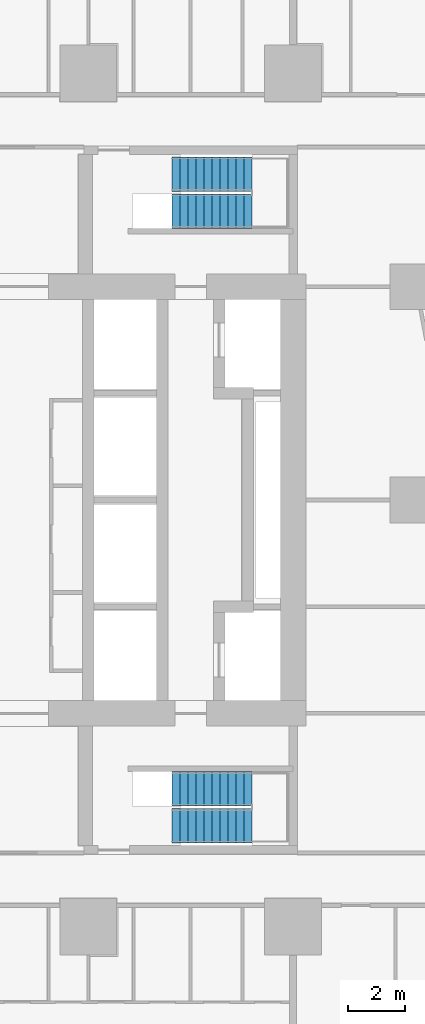
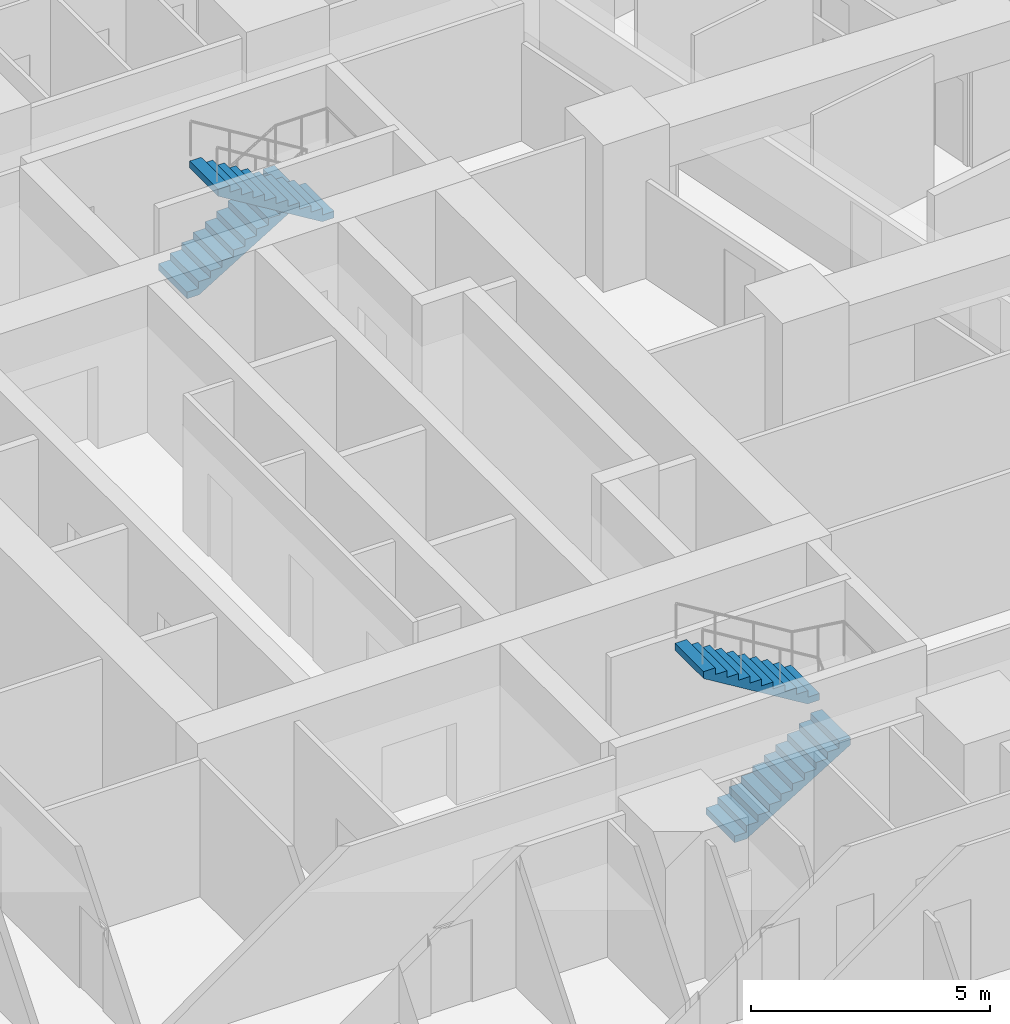
# One storey, part 12 of 15: 4 stair flights, 2 elements without a shape of their own.
"""IFC4 building model written with IfcOpenShell, lengths in metres."""

from ifc_helpers import new_model, si_unit, direction, frame, origin, place, context, subcontext, project, spatial, triangles, material, type_object, element, aggregate, save


model = new_model("IFC4")

# Units and contexts
model_context = context("Model", 3, precision=1e-05, world=origin(), true_north=direction((0.0, 1.0)))
body_context = subcontext(model_context, "Body", "Model", "MODEL_VIEW")
ifc_project = project(units=[si_unit("LENGTHUNIT", "METRE"), si_unit("AREAUNIT", "SQUARE_METRE"), si_unit("VOLUMEUNIT", "CUBIC_METRE"), si_unit("PLANEANGLEUNIT", "RADIAN"), si_unit("MASSUNIT", "GRAM", prefix="KILO")], contexts=[model_context])

# Site, building, storey
site_placement = place(None, origin())
site = spatial("IfcSite", under=ifc_project, at=site_placement, CompositionType="ELEMENT")
building_placement = place(site_placement, origin())
building = spatial("IfcBuilding", under=site, at=building_placement, Name="Sheger Commons Tower", CompositionType="ELEMENT")
storey_placement = place(building_placement, frame((0.0, 0.0, 77.89990234375)))
storey = spatial("IfcBuildingStorey", under=building, at=storey_placement, Name="L19", CompositionType="ELEMENT", Elevation=77.89990234375)

# Stair, stair flights
ifc_material_1 = material(Name="Concrete C35/45", Category="concrete")
stair_type = type_object("IfcStairType", Name="HALF-TURN STAIR 1200 RISE 3750", PredefinedType="HALF_TURN_STAIR", material=ifc_material_1)
stair_1_placement = place(storey_placement, origin())
stair_1 = element("IfcStair", 1, at=stair_1_placement, inside=storey, type_object=stair_type, Name="Stair S1 L19", PredefinedType="HALF_TURN_STAIR")
ifc_material_2 = material(Name="Concrete C35/45", Category="concrete")
stair_flight_type = type_object("IfcStairFlightType", Name="STAIR FLIGHT 1200 11 RISERS OF 170", PredefinedType="STRAIGHT", material=ifc_material_2)
stair_flight_1_placement = place(storey_placement, frame((24.550048828125, 11.050048828125, 0.0), z_axis=(0.0, 0.0, 1.0), x_axis=(1.0, 0.0, 0.0)))
stair_flight_1 = element("IfcStairFlight", 2, at=stair_flight_1_placement, type_object=stair_flight_type, Name="S1 flight 1", NumberOfRisers=11, NumberOfTreads=10, PredefinedType="STRAIGHT", RiserHeight=0.170454545, TreadLength=0.28, context=body_context, shape_type="Tessellation", body=[
    triangles([(0.0, 0.5999755859375, 0.0), (0.0, 0.5999755859375, 0.17041015625), (0.280029296875, 0.5999755859375, 0.17041015625), (0.280029296875, 0.5999755859375, 0.3408203125), (0.56005859375, 0.5999755859375, 0.3408203125), (0.56005859375, 0.5999755859375, 0.511474609375), (0.840087890625, 0.5999755859375, 0.511474609375), (0.840087890625, 0.5999755859375, 0.681884765625), (1.1201171875, 0.5999755859375, 0.681884765625), (1.1201171875, 0.5999755859375, 0.852294921875), (1.39990234375, 0.5999755859375, 0.852294921875), (1.39990234375, 0.5999755859375, 1.022705078125), (1.679931640625, 0.5999755859375, 1.022705078125), (1.679931640625, 0.5999755859375, 1.193115234375), (1.9599609375, 0.5999755859375, 1.193115234375), (1.9599609375, 0.5999755859375, 1.363525390625), (2.239990234375, 0.5999755859375, 1.363525390625), (2.239990234375, 0.5999755859375, 1.5341796875), (2.52001953125, 0.5999755859375, 1.5341796875), (2.52001953125, 0.5999755859375, 1.70458984375), (2.800048828125, 0.5999755859375, 1.70458984375), (2.800048828125, 0.5999755859375, 1.529052734375), (0.288330078125, 0.5999755859375, 0.0), (0.0, -0.5999755859375, 0.0), (0.0, -0.5999755859375, 0.17041015625), (0.280029296875, -0.5999755859375, 0.17041015625), (0.280029296875, -0.5999755859375, 0.3408203125), (0.56005859375, -0.5999755859375, 0.3408203125), (0.56005859375, -0.5999755859375, 0.511474609375), (0.840087890625, -0.5999755859375, 0.511474609375), (0.840087890625, -0.5999755859375, 0.681884765625), (1.1201171875, -0.5999755859375, 0.681884765625), (1.1201171875, -0.5999755859375, 0.852294921875), (1.39990234375, -0.5999755859375, 0.852294921875), (1.39990234375, -0.5999755859375, 1.022705078125), (1.679931640625, -0.5999755859375, 1.022705078125), (1.679931640625, -0.5999755859375, 1.193115234375), (1.9599609375, -0.5999755859375, 1.193115234375), (1.9599609375, -0.5999755859375, 1.363525390625), (2.239990234375, -0.5999755859375, 1.363525390625), (2.239990234375, -0.5999755859375, 1.5341796875), (2.52001953125, -0.5999755859375, 1.5341796875), (2.52001953125, -0.5999755859375, 1.70458984375), (2.800048828125, -0.5999755859375, 1.70458984375), (2.800048828125, -0.5999755859375, 1.529052734375), (0.288330078125, -0.5999755859375, 0.0), (0.0, 0.0, 0.085205078125), (0.1400146484375, 0.0, 0.17041015625), (0.280029296875, 0.0, 0.255615234375), (0.4200439453125, 0.0, 0.3408203125), (0.56005859375, 0.0, 0.4261474609375), (0.7000732421875, 0.0, 0.511474609375), (0.840087890625, 0.0, 0.5966796875), (0.9801025390625, 0.0, 0.681884765625), (1.1201171875, 0.0, 0.76708984375), (1.260009765625, 0.0, 0.852294921875), (1.39990234375, 0.0, 0.9375), (1.5399169921875, 0.0, 1.022705078125), (1.679931640625, 0.0, 1.10791015625), (1.8199462890625, 0.0, 1.193115234375), (1.9599609375, 0.0, 1.2783203125), (2.0999755859375, 0.0, 1.363525390625), (2.239990234375, 0.0, 1.4488525390625), (2.3800048828125, 0.0, 1.5341796875), (2.52001953125, 0.0, 1.619384765625), (2.6600341796875, 0.0, 1.70458984375), (2.800048828125, 0.0, 1.6168212890625), (1.544189453125, 0.0, 0.7645263671875), (0.1441650390625, 0.0, 0.0)], [[1, 22, 23], [24, 46, 45], [22, 20, 21], [45, 44, 43], [22, 19, 20], [45, 43, 42], [22, 18, 19], [45, 42, 41], [22, 17, 18], [45, 41, 40], [17, 15, 16], [40, 39, 38], [22, 15, 17], [45, 40, 38], [15, 13, 14], [38, 37, 36], [22, 13, 15], [45, 38, 36], [13, 11, 12], [36, 35, 34], [22, 11, 13], [45, 36, 34], [11, 9, 10], [34, 33, 32], [22, 9, 11], [45, 34, 32], [9, 7, 8], [32, 31, 30], [22, 7, 9], [45, 32, 30], [7, 5, 6], [30, 29, 28], [22, 5, 7], [45, 30, 28], [5, 3, 4], [28, 27, 26], [22, 3, 5], [45, 28, 26], [1, 3, 22], [24, 45, 26], [3, 1, 2], [26, 25, 24], [1, 47, 2], [2, 47, 25], [25, 47, 24], [24, 47, 1], [2, 48, 3], [3, 48, 26], [26, 48, 25], [25, 48, 2], [3, 49, 4], [4, 49, 27], [27, 49, 26], [26, 49, 3], [4, 50, 5], [5, 50, 28], [28, 50, 27], [27, 50, 4], [5, 51, 6], [6, 51, 29], [29, 51, 28], [28, 51, 5], [6, 52, 7], [7, 52, 30], [30, 52, 29], [29, 52, 6], [7, 53, 8], [8, 53, 31], [31, 53, 30], [30, 53, 7], [8, 54, 9], [9, 54, 32], [32, 54, 31], [31, 54, 8], [9, 55, 10], [10, 55, 33], [33, 55, 32], [32, 55, 9], [10, 56, 11], [11, 56, 34], [34, 56, 33], [33, 56, 10], [11, 57, 12], [12, 57, 35], [35, 57, 34], [34, 57, 11], [12, 58, 13], [13, 58, 36], [36, 58, 35], [35, 58, 12], [13, 59, 14], [14, 59, 37], [37, 59, 36], [36, 59, 13], [14, 60, 15], [15, 60, 38], [38, 60, 37], [37, 60, 14], [15, 61, 16], [16, 61, 39], [39, 61, 38], [38, 61, 15], [16, 62, 17], [17, 62, 40], [40, 62, 39], [39, 62, 16], [17, 63, 18], [18, 63, 41], [41, 63, 40], [40, 63, 17], [18, 64, 19], [19, 64, 42], [42, 64, 41], [41, 64, 18], [19, 65, 20], [20, 65, 43], [43, 65, 42], [42, 65, 19], [20, 66, 21], [21, 66, 44], [44, 66, 43], [43, 66, 20], [21, 67, 22], [22, 67, 45], [45, 67, 44], [44, 67, 21], [22, 68, 23], [23, 68, 46], [46, 68, 45], [45, 68, 22], [23, 69, 1], [1, 69, 24], [24, 69, 46], [46, 69, 23]], closed=True),
])
stair_flight_2_placement = place(storey_placement, frame((27.35009765625, 12.35009765625, 1.875), z_axis=(0.0, 0.0, 1.0), x_axis=(-1.0, 0.0, 0.0)))
stair_flight_2 = element("IfcStairFlight", 3, at=stair_flight_2_placement, type_object=stair_flight_type, Name="S1 flight 2", NumberOfRisers=11, NumberOfTreads=10, PredefinedType="STRAIGHT", RiserHeight=0.170454545, TreadLength=0.28, context=body_context, shape_type="Tessellation", body=[
    triangles([(0.0, 0.5999755859375, 0.0), (0.0, 0.5999755859375, 0.17041015625), (0.280029296875, 0.5999755859375, 0.17041015625), (0.280029296875, 0.5999755859375, 0.3408203125), (0.56005859375, 0.5999755859375, 0.3408203125), (0.56005859375, 0.5999755859375, 0.511474609375), (0.840087890625, 0.5999755859375, 0.511474609375), (0.840087890625, 0.5999755859375, 0.681884765625), (1.1201171875, 0.5999755859375, 0.681884765625), (1.1201171875, 0.5999755859375, 0.852294921875), (1.39990234375, 0.5999755859375, 0.852294921875), (1.39990234375, 0.5999755859375, 1.022705078125), (1.679931640625, 0.5999755859375, 1.022705078125), (1.679931640625, 0.5999755859375, 1.193115234375), (1.9599609375, 0.5999755859375, 1.193115234375), (1.9599609375, 0.5999755859375, 1.363525390625), (2.239990234375, 0.5999755859375, 1.363525390625), (2.239990234375, 0.5999755859375, 1.5341796875), (2.52001953125, 0.5999755859375, 1.5341796875), (2.52001953125, 0.5999755859375, 1.70458984375), (2.800048828125, 0.5999755859375, 1.70458984375), (2.800048828125, 0.5999755859375, 1.529052734375), (0.288330078125, 0.5999755859375, 0.0), (0.0, -0.5999755859375, 0.0), (0.0, -0.5999755859375, 0.17041015625), (0.280029296875, -0.5999755859375, 0.17041015625), (0.280029296875, -0.5999755859375, 0.3408203125), (0.56005859375, -0.5999755859375, 0.3408203125), (0.56005859375, -0.5999755859375, 0.511474609375), (0.840087890625, -0.5999755859375, 0.511474609375), (0.840087890625, -0.5999755859375, 0.681884765625), (1.1201171875, -0.5999755859375, 0.681884765625), (1.1201171875, -0.5999755859375, 0.852294921875), (1.39990234375, -0.5999755859375, 0.852294921875), (1.39990234375, -0.5999755859375, 1.022705078125), (1.679931640625, -0.5999755859375, 1.022705078125), (1.679931640625, -0.5999755859375, 1.193115234375), (1.9599609375, -0.5999755859375, 1.193115234375), (1.9599609375, -0.5999755859375, 1.363525390625), (2.239990234375, -0.5999755859375, 1.363525390625), (2.239990234375, -0.5999755859375, 1.5341796875), (2.52001953125, -0.5999755859375, 1.5341796875), (2.52001953125, -0.5999755859375, 1.70458984375), (2.800048828125, -0.5999755859375, 1.70458984375), (2.800048828125, -0.5999755859375, 1.529052734375), (0.288330078125, -0.5999755859375, 0.0), (0.0, 0.0, 0.085205078125), (0.1400146484375, 0.0, 0.17041015625), (0.280029296875, 0.0, 0.255615234375), (0.4200439453125, 0.0, 0.3408203125), (0.56005859375, 0.0, 0.4261474609375), (0.7000732421875, 0.0, 0.511474609375), (0.840087890625, 0.0, 0.5966796875), (0.9801025390625, 0.0, 0.681884765625), (1.1201171875, 0.0, 0.76708984375), (1.260009765625, 0.0, 0.852294921875), (1.39990234375, 0.0, 0.9375), (1.5399169921875, 0.0, 1.022705078125), (1.679931640625, 0.0, 1.10791015625), (1.8199462890625, 0.0, 1.193115234375), (1.9599609375, 0.0, 1.2783203125), (2.0999755859375, 0.0, 1.363525390625), (2.239990234375, 0.0, 1.4488525390625), (2.3800048828125, 0.0, 1.5341796875), (2.52001953125, 0.0, 1.619384765625), (2.6600341796875, 0.0, 1.70458984375), (2.800048828125, 0.0, 1.6168212890625), (1.544189453125, 0.0, 0.7645263671875), (0.1441650390625, 0.0, 0.0)], [[1, 22, 23], [24, 46, 45], [22, 20, 21], [45, 44, 43], [22, 19, 20], [45, 43, 42], [22, 18, 19], [45, 42, 41], [22, 17, 18], [45, 41, 40], [17, 15, 16], [40, 39, 38], [22, 15, 17], [45, 40, 38], [15, 13, 14], [38, 37, 36], [22, 13, 15], [45, 38, 36], [13, 11, 12], [36, 35, 34], [22, 11, 13], [45, 36, 34], [11, 9, 10], [34, 33, 32], [22, 9, 11], [45, 34, 32], [9, 7, 8], [32, 31, 30], [22, 7, 9], [45, 32, 30], [7, 5, 6], [30, 29, 28], [22, 5, 7], [45, 30, 28], [5, 3, 4], [28, 27, 26], [22, 3, 5], [45, 28, 26], [1, 3, 22], [24, 45, 26], [3, 1, 2], [26, 25, 24], [1, 47, 2], [2, 47, 25], [25, 47, 24], [24, 47, 1], [2, 48, 3], [3, 48, 26], [26, 48, 25], [25, 48, 2], [3, 49, 4], [4, 49, 27], [27, 49, 26], [26, 49, 3], [4, 50, 5], [5, 50, 28], [28, 50, 27], [27, 50, 4], [5, 51, 6], [6, 51, 29], [29, 51, 28], [28, 51, 5], [6, 52, 7], [7, 52, 30], [30, 52, 29], [29, 52, 6], [7, 53, 8], [8, 53, 31], [31, 53, 30], [30, 53, 7], [8, 54, 9], [9, 54, 32], [32, 54, 31], [31, 54, 8], [9, 55, 10], [10, 55, 33], [33, 55, 32], [32, 55, 9], [10, 56, 11], [11, 56, 34], [34, 56, 33], [33, 56, 10], [11, 57, 12], [12, 57, 35], [35, 57, 34], [34, 57, 11], [12, 58, 13], [13, 58, 36], [36, 58, 35], [35, 58, 12], [13, 59, 14], [14, 59, 37], [37, 59, 36], [36, 59, 13], [14, 60, 15], [15, 60, 38], [38, 60, 37], [37, 60, 14], [15, 61, 16], [16, 61, 39], [39, 61, 38], [38, 61, 15], [16, 62, 17], [17, 62, 40], [40, 62, 39], [39, 62, 16], [17, 63, 18], [18, 63, 41], [41, 63, 40], [40, 63, 17], [18, 64, 19], [19, 64, 42], [42, 64, 41], [41, 64, 18], [19, 65, 20], [20, 65, 43], [43, 65, 42], [42, 65, 19], [20, 66, 21], [21, 66, 44], [44, 66, 43], [43, 66, 20], [21, 67, 22], [22, 67, 45], [45, 67, 44], [44, 67, 21], [22, 68, 23], [23, 68, 46], [46, 68, 45], [45, 68, 22], [23, 69, 1], [1, 69, 24], [24, 69, 46], [46, 69, 23]], closed=True),
])
aggregate(stair_1, [stair_flight_1, stair_flight_2])

stair_2_placement = place(storey_placement, origin())
stair_2 = element("IfcStair", 4, at=stair_2_placement, inside=storey, type_object=stair_type, Name="Stair S2 L19", PredefinedType="HALF_TURN_STAIR")
stair_flight_3_placement = place(storey_placement, frame((24.550048828125, 33.949951171875, 0.0), z_axis=(0.0, 0.0, 1.0), x_axis=(1.0, 0.0, 0.0)))
stair_flight_3 = element("IfcStairFlight", 5, at=stair_flight_3_placement, type_object=stair_flight_type, Name="S2 flight 1", NumberOfRisers=11, NumberOfTreads=10, PredefinedType="STRAIGHT", RiserHeight=0.170454545, TreadLength=0.28, context=body_context, shape_type="Tessellation", body=[
    triangles([(0.0, 0.5999755859375, 0.0), (0.0, 0.5999755859375, 0.17041015625), (0.280029296875, 0.5999755859375, 0.17041015625), (0.280029296875, 0.5999755859375, 0.3408203125), (0.56005859375, 0.5999755859375, 0.3408203125), (0.56005859375, 0.5999755859375, 0.511474609375), (0.840087890625, 0.5999755859375, 0.511474609375), (0.840087890625, 0.5999755859375, 0.681884765625), (1.1201171875, 0.5999755859375, 0.681884765625), (1.1201171875, 0.5999755859375, 0.852294921875), (1.39990234375, 0.5999755859375, 0.852294921875), (1.39990234375, 0.5999755859375, 1.022705078125), (1.679931640625, 0.5999755859375, 1.022705078125), (1.679931640625, 0.5999755859375, 1.193115234375), (1.9599609375, 0.5999755859375, 1.193115234375), (1.9599609375, 0.5999755859375, 1.363525390625), (2.239990234375, 0.5999755859375, 1.363525390625), (2.239990234375, 0.5999755859375, 1.5341796875), (2.52001953125, 0.5999755859375, 1.5341796875), (2.52001953125, 0.5999755859375, 1.70458984375), (2.800048828125, 0.5999755859375, 1.70458984375), (2.800048828125, 0.5999755859375, 1.529052734375), (0.288330078125, 0.5999755859375, 0.0), (0.0, -0.5999755859375, 0.0), (0.0, -0.5999755859375, 0.17041015625), (0.280029296875, -0.5999755859375, 0.17041015625), (0.280029296875, -0.5999755859375, 0.3408203125), (0.56005859375, -0.5999755859375, 0.3408203125), (0.56005859375, -0.5999755859375, 0.511474609375), (0.840087890625, -0.5999755859375, 0.511474609375), (0.840087890625, -0.5999755859375, 0.681884765625), (1.1201171875, -0.5999755859375, 0.681884765625), (1.1201171875, -0.5999755859375, 0.852294921875), (1.39990234375, -0.5999755859375, 0.852294921875), (1.39990234375, -0.5999755859375, 1.022705078125), (1.679931640625, -0.5999755859375, 1.022705078125), (1.679931640625, -0.5999755859375, 1.193115234375), (1.9599609375, -0.5999755859375, 1.193115234375), (1.9599609375, -0.5999755859375, 1.363525390625), (2.239990234375, -0.5999755859375, 1.363525390625), (2.239990234375, -0.5999755859375, 1.5341796875), (2.52001953125, -0.5999755859375, 1.5341796875), (2.52001953125, -0.5999755859375, 1.70458984375), (2.800048828125, -0.5999755859375, 1.70458984375), (2.800048828125, -0.5999755859375, 1.529052734375), (0.288330078125, -0.5999755859375, 0.0), (0.0, 0.0, 0.085205078125), (0.1400146484375, 0.0, 0.17041015625), (0.280029296875, 0.0, 0.255615234375), (0.4200439453125, 0.0, 0.3408203125), (0.56005859375, 0.0, 0.4261474609375), (0.7000732421875, 0.0, 0.511474609375), (0.840087890625, 0.0, 0.5966796875), (0.9801025390625, 0.0, 0.681884765625), (1.1201171875, 0.0, 0.76708984375), (1.260009765625, 0.0, 0.852294921875), (1.39990234375, 0.0, 0.9375), (1.5399169921875, 0.0, 1.022705078125), (1.679931640625, 0.0, 1.10791015625), (1.8199462890625, 0.0, 1.193115234375), (1.9599609375, 0.0, 1.2783203125), (2.0999755859375, 0.0, 1.363525390625), (2.239990234375, 0.0, 1.4488525390625), (2.3800048828125, 0.0, 1.5341796875), (2.52001953125, 0.0, 1.619384765625), (2.6600341796875, 0.0, 1.70458984375), (2.800048828125, 0.0, 1.6168212890625), (1.544189453125, 0.0, 0.7645263671875), (0.1441650390625, 0.0, 0.0)], [[1, 22, 23], [24, 46, 45], [22, 20, 21], [45, 44, 43], [22, 19, 20], [45, 43, 42], [22, 18, 19], [45, 42, 41], [22, 17, 18], [45, 41, 40], [17, 15, 16], [40, 39, 38], [22, 15, 17], [45, 40, 38], [15, 13, 14], [38, 37, 36], [22, 13, 15], [45, 38, 36], [13, 11, 12], [36, 35, 34], [22, 11, 13], [45, 36, 34], [11, 9, 10], [34, 33, 32], [22, 9, 11], [45, 34, 32], [9, 7, 8], [32, 31, 30], [22, 7, 9], [45, 32, 30], [7, 5, 6], [30, 29, 28], [22, 5, 7], [45, 30, 28], [5, 3, 4], [28, 27, 26], [22, 3, 5], [45, 28, 26], [1, 3, 22], [24, 45, 26], [3, 1, 2], [26, 25, 24], [1, 47, 2], [2, 47, 25], [25, 47, 24], [24, 47, 1], [2, 48, 3], [3, 48, 26], [26, 48, 25], [25, 48, 2], [3, 49, 4], [4, 49, 27], [27, 49, 26], [26, 49, 3], [4, 50, 5], [5, 50, 28], [28, 50, 27], [27, 50, 4], [5, 51, 6], [6, 51, 29], [29, 51, 28], [28, 51, 5], [6, 52, 7], [7, 52, 30], [30, 52, 29], [29, 52, 6], [7, 53, 8], [8, 53, 31], [31, 53, 30], [30, 53, 7], [8, 54, 9], [9, 54, 32], [32, 54, 31], [31, 54, 8], [9, 55, 10], [10, 55, 33], [33, 55, 32], [32, 55, 9], [10, 56, 11], [11, 56, 34], [34, 56, 33], [33, 56, 10], [11, 57, 12], [12, 57, 35], [35, 57, 34], [34, 57, 11], [12, 58, 13], [13, 58, 36], [36, 58, 35], [35, 58, 12], [13, 59, 14], [14, 59, 37], [37, 59, 36], [36, 59, 13], [14, 60, 15], [15, 60, 38], [38, 60, 37], [37, 60, 14], [15, 61, 16], [16, 61, 39], [39, 61, 38], [38, 61, 15], [16, 62, 17], [17, 62, 40], [40, 62, 39], [39, 62, 16], [17, 63, 18], [18, 63, 41], [41, 63, 40], [40, 63, 17], [18, 64, 19], [19, 64, 42], [42, 64, 41], [41, 64, 18], [19, 65, 20], [20, 65, 43], [43, 65, 42], [42, 65, 19], [20, 66, 21], [21, 66, 44], [44, 66, 43], [43, 66, 20], [21, 67, 22], [22, 67, 45], [45, 67, 44], [44, 67, 21], [22, 68, 23], [23, 68, 46], [46, 68, 45], [45, 68, 22], [23, 69, 1], [1, 69, 24], [24, 69, 46], [46, 69, 23]], closed=True),
])
stair_flight_4_placement = place(storey_placement, frame((27.35009765625, 32.64990234375, 1.875), z_axis=(0.0, 0.0, 1.0), x_axis=(-1.0, 0.0, 0.0)))
stair_flight_4 = element("IfcStairFlight", 6, at=stair_flight_4_placement, type_object=stair_flight_type, Name="S2 flight 2", NumberOfRisers=11, NumberOfTreads=10, PredefinedType="STRAIGHT", RiserHeight=0.170454545, TreadLength=0.28, context=body_context, shape_type="Tessellation", body=[
    triangles([(0.0, 0.5999755859375, 0.0), (0.0, 0.5999755859375, 0.17041015625), (0.280029296875, 0.5999755859375, 0.17041015625), (0.280029296875, 0.5999755859375, 0.3408203125), (0.56005859375, 0.5999755859375, 0.3408203125), (0.56005859375, 0.5999755859375, 0.511474609375), (0.840087890625, 0.5999755859375, 0.511474609375), (0.840087890625, 0.5999755859375, 0.681884765625), (1.1201171875, 0.5999755859375, 0.681884765625), (1.1201171875, 0.5999755859375, 0.852294921875), (1.39990234375, 0.5999755859375, 0.852294921875), (1.39990234375, 0.5999755859375, 1.022705078125), (1.679931640625, 0.5999755859375, 1.022705078125), (1.679931640625, 0.5999755859375, 1.193115234375), (1.9599609375, 0.5999755859375, 1.193115234375), (1.9599609375, 0.5999755859375, 1.363525390625), (2.239990234375, 0.5999755859375, 1.363525390625), (2.239990234375, 0.5999755859375, 1.5341796875), (2.52001953125, 0.5999755859375, 1.5341796875), (2.52001953125, 0.5999755859375, 1.70458984375), (2.800048828125, 0.5999755859375, 1.70458984375), (2.800048828125, 0.5999755859375, 1.529052734375), (0.288330078125, 0.5999755859375, 0.0), (0.0, -0.5999755859375, 0.0), (0.0, -0.5999755859375, 0.17041015625), (0.280029296875, -0.5999755859375, 0.17041015625), (0.280029296875, -0.5999755859375, 0.3408203125), (0.56005859375, -0.5999755859375, 0.3408203125), (0.56005859375, -0.5999755859375, 0.511474609375), (0.840087890625, -0.5999755859375, 0.511474609375), (0.840087890625, -0.5999755859375, 0.681884765625), (1.1201171875, -0.5999755859375, 0.681884765625), (1.1201171875, -0.5999755859375, 0.852294921875), (1.39990234375, -0.5999755859375, 0.852294921875), (1.39990234375, -0.5999755859375, 1.022705078125), (1.679931640625, -0.5999755859375, 1.022705078125), (1.679931640625, -0.5999755859375, 1.193115234375), (1.9599609375, -0.5999755859375, 1.193115234375), (1.9599609375, -0.5999755859375, 1.363525390625), (2.239990234375, -0.5999755859375, 1.363525390625), (2.239990234375, -0.5999755859375, 1.5341796875), (2.52001953125, -0.5999755859375, 1.5341796875), (2.52001953125, -0.5999755859375, 1.70458984375), (2.800048828125, -0.5999755859375, 1.70458984375), (2.800048828125, -0.5999755859375, 1.529052734375), (0.288330078125, -0.5999755859375, 0.0), (0.0, 0.0, 0.085205078125), (0.1400146484375, 0.0, 0.17041015625), (0.280029296875, 0.0, 0.255615234375), (0.4200439453125, 0.0, 0.3408203125), (0.56005859375, 0.0, 0.4261474609375), (0.7000732421875, 0.0, 0.511474609375), (0.840087890625, 0.0, 0.5966796875), (0.9801025390625, 0.0, 0.681884765625), (1.1201171875, 0.0, 0.76708984375), (1.260009765625, 0.0, 0.852294921875), (1.39990234375, 0.0, 0.9375), (1.5399169921875, 0.0, 1.022705078125), (1.679931640625, 0.0, 1.10791015625), (1.8199462890625, 0.0, 1.193115234375), (1.9599609375, 0.0, 1.2783203125), (2.0999755859375, 0.0, 1.363525390625), (2.239990234375, 0.0, 1.4488525390625), (2.3800048828125, 0.0, 1.5341796875), (2.52001953125, 0.0, 1.619384765625), (2.6600341796875, 0.0, 1.70458984375), (2.800048828125, 0.0, 1.6168212890625), (1.544189453125, 0.0, 0.7645263671875), (0.1441650390625, 0.0, 0.0)], [[1, 22, 23], [24, 46, 45], [22, 20, 21], [45, 44, 43], [22, 19, 20], [45, 43, 42], [22, 18, 19], [45, 42, 41], [22, 17, 18], [45, 41, 40], [17, 15, 16], [40, 39, 38], [22, 15, 17], [45, 40, 38], [15, 13, 14], [38, 37, 36], [22, 13, 15], [45, 38, 36], [13, 11, 12], [36, 35, 34], [22, 11, 13], [45, 36, 34], [11, 9, 10], [34, 33, 32], [22, 9, 11], [45, 34, 32], [9, 7, 8], [32, 31, 30], [22, 7, 9], [45, 32, 30], [7, 5, 6], [30, 29, 28], [22, 5, 7], [45, 30, 28], [5, 3, 4], [28, 27, 26], [22, 3, 5], [45, 28, 26], [1, 3, 22], [24, 45, 26], [3, 1, 2], [26, 25, 24], [1, 47, 2], [2, 47, 25], [25, 47, 24], [24, 47, 1], [2, 48, 3], [3, 48, 26], [26, 48, 25], [25, 48, 2], [3, 49, 4], [4, 49, 27], [27, 49, 26], [26, 49, 3], [4, 50, 5], [5, 50, 28], [28, 50, 27], [27, 50, 4], [5, 51, 6], [6, 51, 29], [29, 51, 28], [28, 51, 5], [6, 52, 7], [7, 52, 30], [30, 52, 29], [29, 52, 6], [7, 53, 8], [8, 53, 31], [31, 53, 30], [30, 53, 7], [8, 54, 9], [9, 54, 32], [32, 54, 31], [31, 54, 8], [9, 55, 10], [10, 55, 33], [33, 55, 32], [32, 55, 9], [10, 56, 11], [11, 56, 34], [34, 56, 33], [33, 56, 10], [11, 57, 12], [12, 57, 35], [35, 57, 34], [34, 57, 11], [12, 58, 13], [13, 58, 36], [36, 58, 35], [35, 58, 12], [13, 59, 14], [14, 59, 37], [37, 59, 36], [36, 59, 13], [14, 60, 15], [15, 60, 38], [38, 60, 37], [37, 60, 14], [15, 61, 16], [16, 61, 39], [39, 61, 38], [38, 61, 15], [16, 62, 17], [17, 62, 40], [40, 62, 39], [39, 62, 16], [17, 63, 18], [18, 63, 41], [41, 63, 40], [40, 63, 17], [18, 64, 19], [19, 64, 42], [42, 64, 41], [41, 64, 18], [19, 65, 20], [20, 65, 43], [43, 65, 42], [42, 65, 19], [20, 66, 21], [21, 66, 44], [44, 66, 43], [43, 66, 20], [21, 67, 22], [22, 67, 45], [45, 67, 44], [44, 67, 21], [22, 68, 23], [23, 68, 46], [46, 68, 45], [45, 68, 22], [23, 69, 1], [1, 69, 24], [24, 69, 46], [46, 69, 23]], closed=True),
])
aggregate(stair_2, [stair_flight_3, stair_flight_4])

save(model, "model.ifc")
